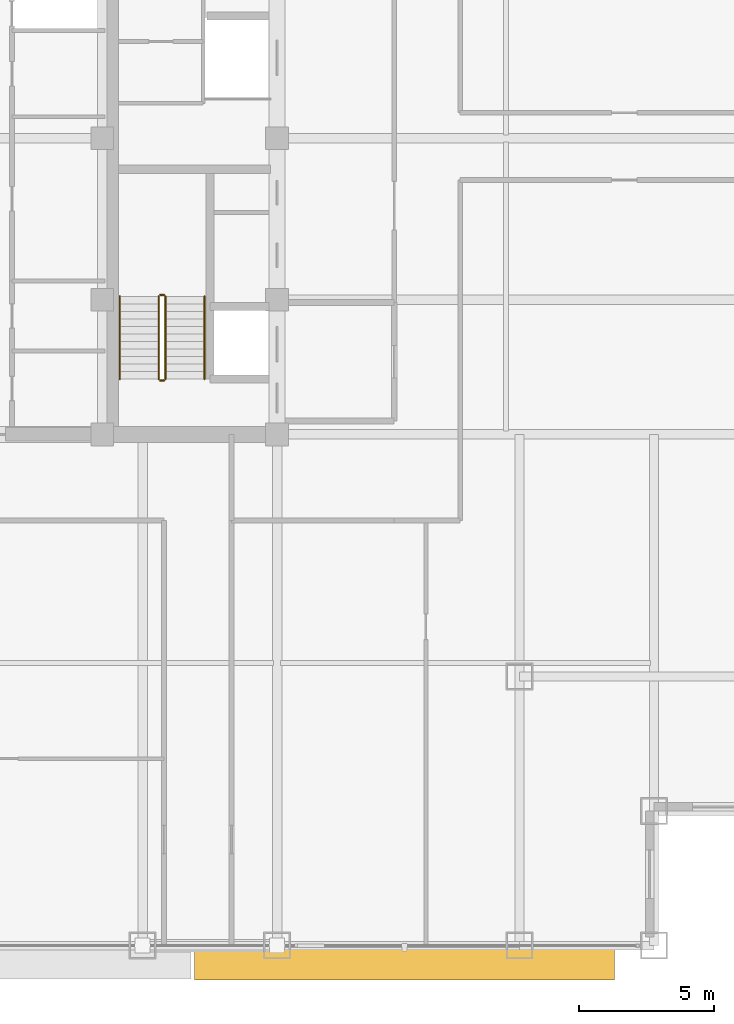
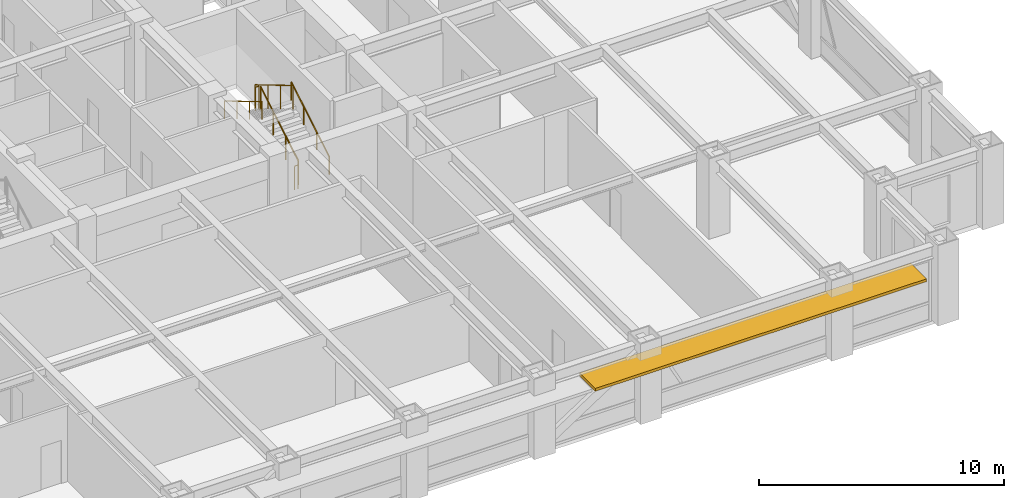
# One storey, part 27 of 29: 6 railings, 1 shading device.
"""IFC4 building model written with IfcOpenShell, lengths in metres."""

from ifc_helpers import new_model, si_unit, direction, frame, origin, origin_2d, place, context, subcontext, project, spatial, rectangle, circle, extrude, source, transform, mapped, material, layer, layer_set, type_object, element, save


model = new_model("IFC4")

# Units and contexts
model_context = context("Model", 3, precision=1e-05, world=origin(), true_north=direction((0.0, 1.0)))
body_context = subcontext(model_context, "Body", "Model", "MODEL_VIEW")
ifc_project = project(units=[si_unit("LENGTHUNIT", "METRE"), si_unit("AREAUNIT", "SQUARE_METRE"), si_unit("VOLUMEUNIT", "CUBIC_METRE"), si_unit("PLANEANGLEUNIT", "RADIAN"), si_unit("MASSUNIT", "GRAM", prefix="KILO")], contexts=[model_context])

# Site, building, storey
site_placement = place(None, origin())
site = spatial("IfcSite", under=ifc_project, at=site_placement, CompositionType="ELEMENT")
building_placement = place(site_placement, origin())
building = spatial("IfcBuilding", under=site, at=building_placement, Name="Khorayat Bourse Tower", CompositionType="ELEMENT")
storey_placement = place(building_placement, frame((0.0, 0.0, 235.10009765625)))
storey = spatial("IfcBuildingStorey", under=building, at=storey_placement, Name="L55", CompositionType="ELEMENT", Elevation=235.10009765625)

# Shading device
ifc_material_1 = material(Name="Precast concrete C45/55", Category="concrete")
ifc_layer = layer(ifc_material_1, 0.139892578125)
ifc_layer_set = layer_set([ifc_layer], Name="Precast concrete C45/55")
shading_device_type = type_object("IfcShadingDeviceType", Name="SHD-WAVE-TRAY-A", PredefinedType="USERDEFINED", material=ifc_layer_set)
shared_shape_1 = source(origin(), body_context, "Body", "SweptSolid", [
    extrude(rectangle(XDim=15.59326171875, YDim=1.294189453125, at=origin_2d()), origin(), (0.0, 0.0, 1.0), 0.139892578125),
])
shading_device_placement = place(storey_placement, frame((15.7333984375, -30.627197265625, 3.02978515625), z_axis=(0.0, 0.0, 1.0), x_axis=(1.0, 0.0, 0.0)))
element("IfcShadingDevice", 1, at=shading_device_placement, inside=storey, type_object=shading_device_type, Name="L55 Sinusoidal Wave Sunshade Tray S-3", ObjectType="SUNSHADE", PredefinedType="USERDEFINED", context=body_context, shape_type="MappedRepresentation", body=[
    mapped(shared_shape_1, transform((0.0, 0.0, 0.0), scale=1.0)),
])

# Railings
ifc_material_2 = material(Name="Powder-coated steel balustrade", Category="steel")
railing_type_1 = type_object("IfcRailingType", Name="RLG-GUARD-1200", PredefinedType="GUARDRAIL", material=ifc_material_2)
shared_shape_2 = source(origin(), body_context, "Body", "SweptSolid", [
    extrude(circle(Radius=0.02392578125, at=origin_2d()), frame((0.0, 0.0, 1.17578125), z_axis=(-1.0, 0.0, 0.0), x_axis=(0.0, -1.0, 0.0)), (0.0, 0.0, 1.0), 0.150146484375),
    extrude(circle(Radius=0.02099609375, at=origin_2d()), origin(), (0.0, 0.0, 1.0), 1.15185546875),
    extrude(circle(Radius=0.02099609375, at=origin_2d()), frame((-0.150146484375, 0.0, 0.0)), (0.0, 0.0, 1.0), 1.15185546875),
])
for number, where, name in (
    (2, (6.800048828125, -5.820068359375, 2.0), "L55 ST-3 stair guard 2"),
    (3, (6.800048828125, -9.0, 0.0), "L55 ST-3 stair guard 4"),
):
    element("IfcRailing", number, at=place(storey_placement, frame(where)), inside=storey, type_object=railing_type_1, Name=name, PredefinedType="GUARDRAIL", context=body_context, shape_type="MappedRepresentation", body=[
        mapped(shared_shape_2, transform((0.0, 0.0, 0.0), scale=1.0)),
    ])
shared_shape_3 = source(origin(), body_context, "Body", "SweptSolid", [
    extrude(circle(Radius=0.02392578125, at=origin_2d()), frame((0.0, 0.0, 1.17578125), z_axis=(0.0, 0.859260807169, 0.511537745687), x_axis=(-1.0, 0.0, 0.0)), (0.0, 0.0, 1.0), 3.584228515625),
    extrude(circle(Radius=0.02099609375, at=origin_2d()), origin(), (0.0, 0.0, 1.0), 1.15185546875),
    extrude(circle(Radius=0.02099609375, at=origin_2d()), frame((0.0, 1.026611328125, 0.611083984375)), (0.0, 0.0, 1.0), 1.15185546875),
    extrude(circle(Radius=0.02099609375, at=origin_2d()), frame((0.0, 2.05322265625, 1.222412109375)), (0.0, 0.0, 1.0), 1.15185546875),
    extrude(circle(Radius=0.02099609375, at=origin_2d()), frame((0.0, 3.079833984375, 1.83349609375)), (0.0, 0.0, 1.0), 1.15185546875),
])
railing_1_placement = place(storey_placement, frame((6.85009765625, -8.949951171875, 0.16650390625)))
element("IfcRailing", 4, at=railing_1_placement, inside=storey, type_object=railing_type_1, Name="L55 ST-3 stair guard 1", PredefinedType="GUARDRAIL", context=body_context, shape_type="MappedRepresentation", body=[
    mapped(shared_shape_3, transform((0.0, 0.0, 0.0), scale=1.0)),
])
shared_shape_4 = source(origin(), body_context, "Body", "SweptSolid", [
    extrude(circle(Radius=0.02392578125, at=origin_2d()), frame((0.0, 0.0, 1.17578125), z_axis=(0.0, -0.859260807169, 0.511537745687), x_axis=(1.0, 0.0, 0.0)), (0.0, 0.0, 1.0), 3.584228515625),
    extrude(circle(Radius=0.02099609375, at=origin_2d()), origin(), (0.0, 0.0, 1.0), 1.15185546875),
    extrude(circle(Radius=0.02099609375, at=origin_2d()), frame((0.0, -1.026611328125, 0.611083984375)), (0.0, 0.0, 1.0), 1.15185546875),
    extrude(circle(Radius=0.02099609375, at=origin_2d()), frame((0.0, -2.05322265625, 1.222412109375)), (0.0, 0.0, 1.0), 1.15185546875),
    extrude(circle(Radius=0.02099609375, at=origin_2d()), frame((0.0, -3.079833984375, 1.83349609375)), (0.0, 0.0, 1.0), 1.15185546875),
])
railing_2_placement = place(storey_placement, frame((6.60009765625, -5.8701171875, 2.16650390625)))
element("IfcRailing", 5, at=railing_2_placement, inside=storey, type_object=railing_type_1, Name="L55 ST-3 stair guard 3", PredefinedType="GUARDRAIL", context=body_context, shape_type="MappedRepresentation", body=[
    mapped(shared_shape_4, transform((0.0, 0.0, 0.0), scale=1.0)),
])
ifc_material_3 = material(Name="Brushed bronze stainless-steel handrail", Category="steel")
railing_type_2 = type_object("IfcRailingType", Name="RLG-HAND-900", PredefinedType="HANDRAIL", material=ifc_material_3)
shared_shape_5 = source(origin(), body_context, "Body", "SweptSolid", [
    extrude(circle(Radius=0.02392578125, at=origin_2d()), frame((0.0, 0.0, 0.8759765625), z_axis=(0.0, 0.859260807169, 0.511537745687), x_axis=(-1.0, 0.0, 0.0)), (0.0, 0.0, 1.0), 3.584228515625),
    extrude(circle(Radius=0.02099609375, at=origin_2d()), origin(), (0.0, 0.0, 1.0), 0.851806640625),
    extrude(circle(Radius=0.02099609375, at=origin_2d()), frame((0.0, 1.026611328125, 0.611083984375)), (0.0, 0.0, 1.0), 0.851806640625),
    extrude(circle(Radius=0.02099609375, at=origin_2d()), frame((0.0, 2.05322265625, 1.222412109375)), (0.0, 0.0, 1.0), 0.851806640625),
    extrude(circle(Radius=0.02099609375, at=origin_2d()), frame((0.0, 3.079833984375, 1.83349609375)), (0.0, 0.0, 1.0), 0.851806640625),
])
railing_3_placement = place(storey_placement, frame((8.300048828125, -8.949951171875, 0.16650390625)))
element("IfcRailing", 6, at=railing_3_placement, inside=storey, type_object=railing_type_2, Name="L55 ST-3 stair handrail 1", PredefinedType="HANDRAIL", context=body_context, shape_type="MappedRepresentation", body=[
    mapped(shared_shape_5, transform((0.0, 0.0, 0.0), scale=1.0)),
])
shared_shape_6 = source(origin(), body_context, "Body", "SweptSolid", [
    extrude(circle(Radius=0.02392578125, at=origin_2d()), frame((0.0, 0.0, 0.8759765625), z_axis=(0.0, -0.859260807169, 0.511537745687), x_axis=(1.0, 0.0, 0.0)), (0.0, 0.0, 1.0), 3.584228515625),
    extrude(circle(Radius=0.02099609375, at=origin_2d()), origin(), (0.0, 0.0, 1.0), 0.851806640625),
    extrude(circle(Radius=0.02099609375, at=origin_2d()), frame((0.0, -1.026611328125, 0.611083984375)), (0.0, 0.0, 1.0), 0.851806640625),
    extrude(circle(Radius=0.02099609375, at=origin_2d()), frame((0.0, -2.05322265625, 1.222412109375)), (0.0, 0.0, 1.0), 0.851806640625),
    extrude(circle(Radius=0.02099609375, at=origin_2d()), frame((0.0, -3.079833984375, 1.83349609375)), (0.0, 0.0, 1.0), 0.851806640625),
])
railing_4_placement = place(storey_placement, frame((5.14990234375, -5.8701171875, 2.16650390625)))
element("IfcRailing", 7, at=railing_4_placement, inside=storey, type_object=railing_type_2, Name="L55 ST-3 stair handrail 2", PredefinedType="HANDRAIL", context=body_context, shape_type="MappedRepresentation", body=[
    mapped(shared_shape_6, transform((0.0, 0.0, 0.0), scale=1.0)),
])

save(model, "model.ifc")
